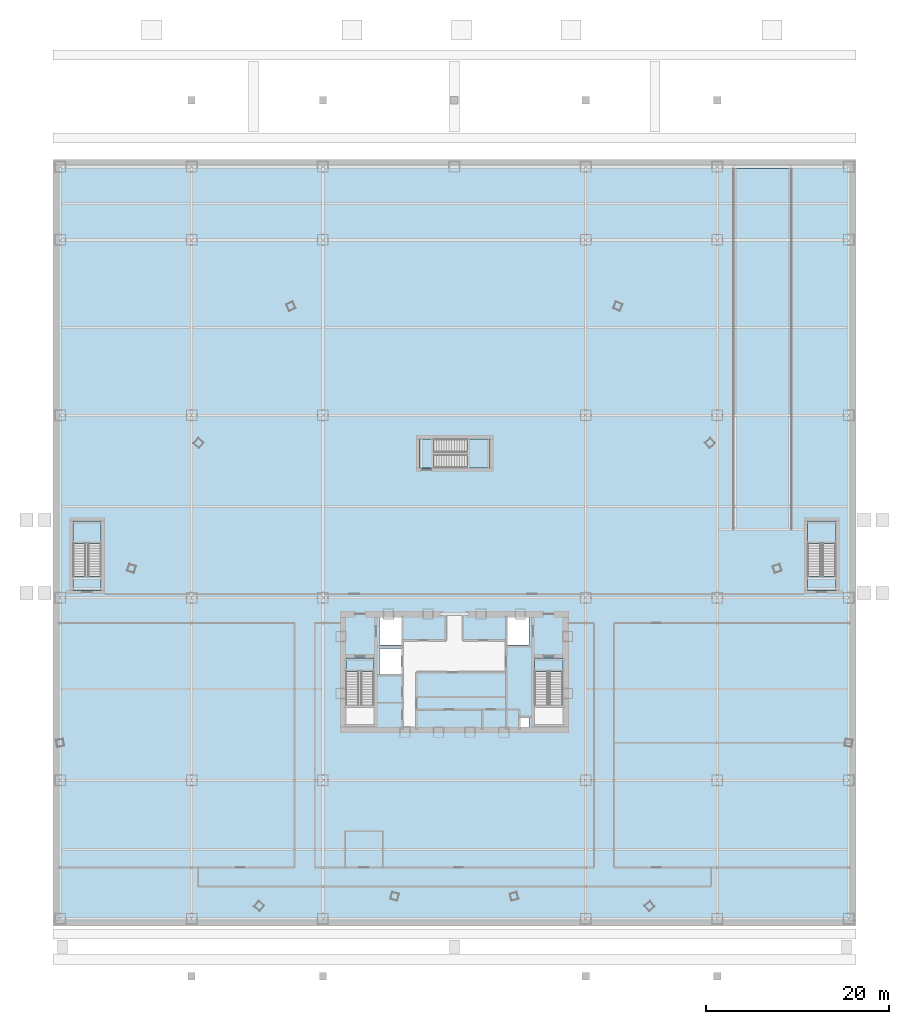
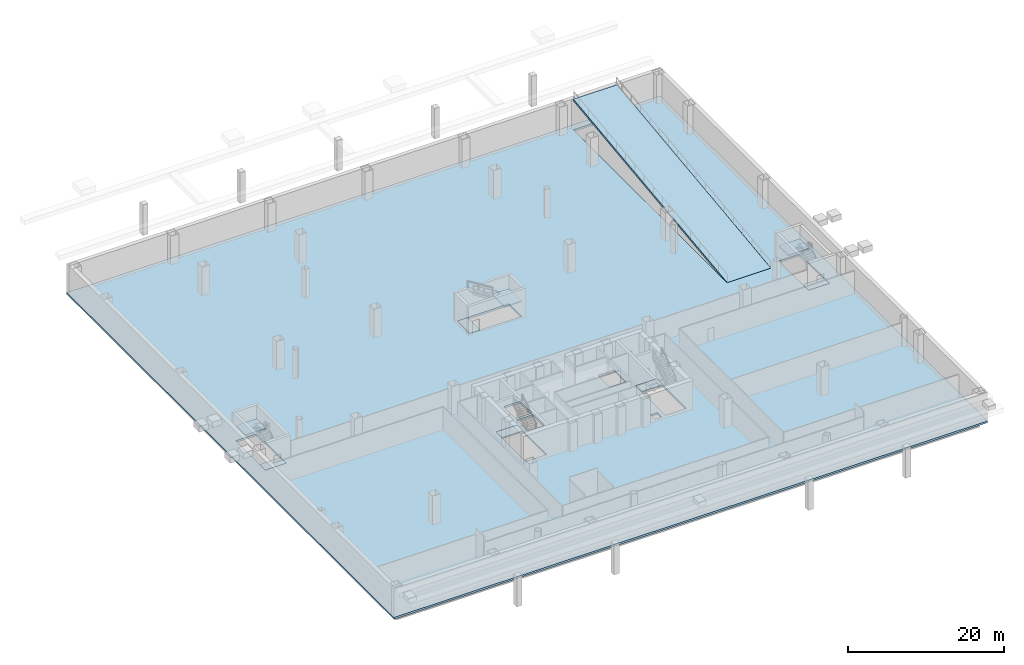
# One storey, part 5 of 16: 10 slabs, 5 elements without a shape of their own.
"""IFC4 building model written with IfcOpenShell, lengths in metres."""

from ifc_helpers import new_model, si_unit, direction, frame, origin, place, context, subcontext, project, spatial, polyline, outline, extrude, material, layer, layer_set, type_object, element, aggregate, save


model = new_model("IFC4")

# Units and contexts
model_context = context("Model", 3, precision=1e-05, world=origin(), true_north=direction((0.0, 1.0)))
body_context = subcontext(model_context, "Body", "Model", "MODEL_VIEW")
ifc_project = project(units=[si_unit("LENGTHUNIT", "METRE"), si_unit("AREAUNIT", "SQUARE_METRE"), si_unit("VOLUMEUNIT", "CUBIC_METRE"), si_unit("PLANEANGLEUNIT", "RADIAN"), si_unit("MASSUNIT", "GRAM", prefix="KILO"), si_unit("THERMODYNAMICTEMPERATUREUNIT", "KELVIN"), si_unit("POWERUNIT", "WATT")], contexts=[model_context])

# Site, building, storey
site_placement = place(None, origin())
site = spatial("IfcSite", under=ifc_project, at=site_placement, CompositionType="ELEMENT")
building_placement = place(site_placement, origin())
building = spatial("IfcBuilding", under=site, at=building_placement, Name="Yunzhuo Pagoda Commons", CompositionType="ELEMENT")
storey_placement = place(building_placement, frame((0.0, 0.0, -4.800048828125)))
storey = spatial("IfcBuildingStorey", under=building, at=storey_placement, Name="B01", CompositionType="ELEMENT", Elevation=-4.800048828125)

# Slab
ifc_material = material(Name="Concrete C40", Category="concrete")
ifc_layer_1 = layer(ifc_material, 0.300048828125)
ifc_layer_set_1 = layer_set([ifc_layer_1], Name="Concrete C40")
slab_type_1 = type_object("IfcSlabType", Name="SL-CAR Basement Car Park Slab 300", PredefinedType="FLOOR", material=ifc_layer_set_1)
slab_1_placement = place(storey_placement, frame((0.0, 0.0, -0.300048828125)))
element("IfcSlab", 1, at=slab_1_placement, inside=storey, type_object=slab_type_1, Name="B01 structural floor slab", PredefinedType="FLOOR", context=body_context, shape_type="SweptSolid", body=[
    extrude(outline(polyline([(4.0, 90.0), (92.0, 90.0), (92.0, 6.0), (4.0, 6.0), (4.0, 90.0)]), holes=[polyline([(56.179931640625, 28.800048828125), (55.179931640625, 28.800048828125), (55.179931640625, 27.699951171875), (56.179931640625, 27.699951171875), (56.179931640625, 28.800048828125)]), polyline([(39.199951171875, 27.800048828125), (39.199951171875, 35.39990234375), (36.10009765625, 35.39990234375), (36.10009765625, 27.800048828125), (39.199951171875, 27.800048828125)]), polyline([(59.89990234375, 27.800048828125), (59.89990234375, 35.39990234375), (56.800048828125, 35.39990234375), (56.800048828125, 27.800048828125), (59.89990234375, 27.800048828125)]), polyline([(42.199951171875, 33.60009765625), (42.199951171875, 36.39990234375), (39.800048828125, 36.39990234375), (39.800048828125, 33.60009765625), (42.199951171875, 33.60009765625)]), polyline([(42.199951171875, 36.800048828125), (42.199951171875, 39.800048828125), (39.800048828125, 39.800048828125), (39.800048828125, 36.800048828125), (42.199951171875, 36.800048828125)]), polyline([(56.199951171875, 39.800048828125), (53.800048828125, 39.800048828125), (53.800048828125, 36.800048828125), (56.199951171875, 36.800048828125), (56.199951171875, 39.800048828125)]), polyline([(6.199951171875, 50.39990234375), (6.199951171875, 42.800048828125), (9.300048828125, 42.800048828125), (9.300048828125, 50.39990234375), (6.199951171875, 50.39990234375)]), polyline([(86.699951171875, 50.39990234375), (86.699951171875, 42.800048828125), (89.800048828125, 42.800048828125), (89.800048828125, 50.39990234375), (86.699951171875, 50.39990234375)]), polyline([(51.89990234375, 56.199951171875), (51.89990234375, 59.39990234375), (44.199951171875, 59.39990234375), (44.199951171875, 56.199951171875), (51.89990234375, 56.199951171875)]), polyline([(84.989990234375, 49.510009765625), (84.989990234375, 89.0), (78.510009765625, 89.0), (78.510009765625, 49.510009765625), (84.989990234375, 49.510009765625)])]), origin(), (0.0, 0.0, 1.0), 0.300048828125),
])

# Stair, slab
stair_type_1 = type_object("IfcStairType", Name="ST-C1 Core Smokeproof Stair ST1", PredefinedType="HALF_TURN_STAIR", material=ifc_material)
stair_1_placement = place(storey_placement, origin())
stair_1 = element("IfcStair", 2, at=stair_1_placement, inside=storey, type_object=stair_type_1, Name="B01 Core smokeproof stair ST1", PredefinedType="HALF_TURN_STAIR")
ifc_layer_2 = layer(ifc_material, 0.199951171875)
ifc_layer_set_2 = layer_set([ifc_layer_2], Name="Concrete C40")
slab_type_2 = type_object("IfcSlabType", Name="SL-LND1 Stair Landing Slab 200", PredefinedType="LANDING", material=ifc_layer_set_2)
slab_2_placement = place(storey_placement, frame((0.0, 0.0, -0.199951171875)))
slab_2 = element("IfcSlab", 3, at=slab_2_placement, type_object=slab_type_2, Name="ST1 floor landing B01", PredefinedType="LANDING", context=body_context, shape_type="SweptSolid", body=[
    extrude(outline(polyline([(36.10009765625, 35.39990234375), (36.10009765625, 33.89990234375), (39.199951171875, 33.89990234375), (39.199951171875, 35.39990234375), (36.10009765625, 35.39990234375)])), origin(), (0.0, 0.0, 1.0), 0.199951171875),
])
aggregate(stair_1, [slab_2])

stair_type_2 = type_object("IfcStairType", Name="ST-C2 Core Smokeproof Stair ST2", PredefinedType="HALF_TURN_STAIR", material=ifc_material)
stair_2_placement = place(storey_placement, origin())
stair_2 = element("IfcStair", 4, at=stair_2_placement, inside=storey, type_object=stair_type_2, Name="B01 Core smokeproof stair ST2", PredefinedType="HALF_TURN_STAIR")
ifc_layer_3 = layer(ifc_material, 0.201904296875)
ifc_layer_set_3 = layer_set([ifc_layer_3], Name="Concrete C40")
slab_type_3 = type_object("IfcSlabType", Name="SL-LND2 Stair Landing Slab 202", PredefinedType="LANDING", material=ifc_layer_set_3)
slab_3_placement = place(storey_placement, frame((0.0, 0.0, -0.199951171875)))
slab_3 = element("IfcSlab", 5, at=slab_3_placement, type_object=slab_type_3, Name="ST2 floor landing B01", PredefinedType="LANDING", context=body_context, shape_type="SweptSolid", body=[
    extrude(outline(polyline([(56.800048828125, 35.39990234375), (56.800048828125, 33.89990234375), (59.89990234375, 33.89990234375), (59.89990234375, 35.39990234375), (56.800048828125, 35.39990234375)])), origin(), (0.0, 0.0, 1.0), 0.199951171875),
])
aggregate(stair_2, [slab_3])

# Stair, slabs
stair_type_3 = type_object("IfcStairType", Name="ST-P3 Podium Exit Stair PS3", PredefinedType="HALF_TURN_STAIR", material=ifc_material)
stair_3_placement = place(storey_placement, origin())
stair_3 = element("IfcStair", 6, at=stair_3_placement, inside=storey, type_object=stair_type_3, Name="B01 Podium exit stair PS3", PredefinedType="HALF_TURN_STAIR")
ifc_layer_4 = layer(ifc_material, 0.2060546875)
ifc_layer_set_4 = layer_set([ifc_layer_4], Name="Concrete C40")
slab_type_4 = type_object("IfcSlabType", Name="SL-LND3 Podium Landing Slab 206", PredefinedType="LANDING", material=ifc_layer_set_4)
slab_4_placement = place(storey_placement, frame((0.0, 0.0, 2.199951171875)))
slab_4 = element("IfcSlab", 7, at=slab_4_placement, type_object=slab_type_4, Name="PS3 landing 1", PredefinedType="LANDING", context=body_context, shape_type="SweptSolid", body=[
    extrude(outline(polyline([(9.300048828125, 47.93994140625), (9.300048828125, 50.39990234375), (6.199951171875, 50.39990234375), (6.199951171875, 47.93994140625), (9.300048828125, 47.93994140625)])), origin(), (0.0, 0.0, 1.0), 0.2001953125),
])
slab_5_placement = place(storey_placement, frame((0.0, 0.0, -0.199951171875)))
slab_5 = element("IfcSlab", 8, at=slab_5_placement, type_object=slab_type_4, Name="PS3 floor landing B01", PredefinedType="LANDING", context=body_context, shape_type="SweptSolid", body=[
    extrude(outline(polyline([(9.300048828125, 42.800048828125), (9.300048828125, 44.300048828125), (6.199951171875, 44.300048828125), (6.199951171875, 42.800048828125), (9.300048828125, 42.800048828125)])), origin(), (0.0, 0.0, 1.0), 0.199951171875),
])
aggregate(stair_3, [slab_4, slab_5])

stair_type_4 = type_object("IfcStairType", Name="ST-P4 Podium Exit Stair PS4", PredefinedType="HALF_TURN_STAIR", material=ifc_material)
stair_4_placement = place(storey_placement, origin())
stair_4 = element("IfcStair", 9, at=stair_4_placement, inside=storey, type_object=stair_type_4, Name="B01 Podium exit stair PS4", PredefinedType="HALF_TURN_STAIR")
ifc_layer_5 = layer(ifc_material, 0.2080078125)
ifc_layer_set_5 = layer_set([ifc_layer_5], Name="Concrete C40")
slab_type_5 = type_object("IfcSlabType", Name="SL-LND4 Podium Landing Slab 208", PredefinedType="LANDING", material=ifc_layer_set_5)
slab_6_placement = place(storey_placement, frame((0.0, 0.0, 2.199951171875)))
slab_6 = element("IfcSlab", 10, at=slab_6_placement, type_object=slab_type_5, Name="PS4 landing 1", PredefinedType="LANDING", context=body_context, shape_type="SweptSolid", body=[
    extrude(outline(polyline([(89.800048828125, 47.93994140625), (89.800048828125, 50.39990234375), (86.699951171875, 50.39990234375), (86.699951171875, 47.93994140625), (89.800048828125, 47.93994140625)])), origin(), (0.0, 0.0, 1.0), 0.2001953125),
])
slab_7_placement = place(storey_placement, frame((0.0, 0.0, -0.199951171875)))
slab_7 = element("IfcSlab", 11, at=slab_7_placement, type_object=slab_type_5, Name="PS4 floor landing B01", PredefinedType="LANDING", context=body_context, shape_type="SweptSolid", body=[
    extrude(outline(polyline([(89.800048828125, 42.800048828125), (89.800048828125, 44.300048828125), (86.699951171875, 44.300048828125), (86.699951171875, 42.800048828125), (89.800048828125, 42.800048828125)])), origin(), (0.0, 0.0, 1.0), 0.199951171875),
])
aggregate(stair_4, [slab_6, slab_7])

stair_type_5 = type_object("IfcStairType", Name="ST-C3 North Tower Smokeproof Stair ST3", PredefinedType="HALF_TURN_STAIR", material=ifc_material)
stair_5_placement = place(storey_placement, origin())
stair_5 = element("IfcStair", 12, at=stair_5_placement, inside=storey, type_object=stair_type_5, Name="B01 North tower smokeproof stair ST3", PredefinedType="HALF_TURN_STAIR")
ifc_layer_6 = layer(ifc_material, 0.2041015625)
ifc_layer_set_6 = layer_set([ifc_layer_6], Name="Concrete C40")
slab_type_6 = type_object("IfcSlabType", Name="SL-LND5 North Landing Slab 204", PredefinedType="LANDING", material=ifc_layer_set_6)
slab_8_placement = place(storey_placement, frame((0.0, 0.0, 2.199951171875)))
slab_8 = element("IfcSlab", 13, at=slab_8_placement, type_object=slab_type_6, Name="ST3 landing 1", PredefinedType="LANDING", context=body_context, shape_type="SweptSolid", body=[
    extrude(outline(polyline([(49.389892578125, 56.199951171875), (51.89990234375, 56.199951171875), (51.89990234375, 59.39990234375), (49.389892578125, 59.39990234375), (49.389892578125, 56.199951171875)])), origin(), (0.0, 0.0, 1.0), 0.2001953125),
])
slab_9_placement = place(storey_placement, frame((0.0, 0.0, -0.199951171875)))
slab_9 = element("IfcSlab", 14, at=slab_9_placement, type_object=slab_type_6, Name="ST3 floor landing B01", PredefinedType="LANDING", context=body_context, shape_type="SweptSolid", body=[
    extrude(outline(polyline([(44.199951171875, 56.199951171875), (45.75, 56.199951171875), (45.75, 59.39990234375), (44.199951171875, 59.39990234375), (44.199951171875, 56.199951171875)])), origin(), (0.0, 0.0, 1.0), 0.199951171875),
])
aggregate(stair_5, [slab_8, slab_9])

# Slab
ifc_layer_7 = layer(ifc_material, 0.300048828125)
ifc_layer_set_7 = layer_set([ifc_layer_7], Name="Concrete C40")
slab_type_7 = type_object("IfcSlabType", Name="SL-RMP1 Car Park Structural Vehicle Ramp Slab 300", PredefinedType="USERDEFINED", material=ifc_layer_set_7)
slab_10_placement = place(storey_placement, frame((78.5, 49.5, 0.0), z_axis=(0.0, -0.120632785618, 0.992697200074), x_axis=(1.0, 0.0, 0.0)))
element("IfcSlab", 15, at=slab_10_placement, inside=storey, type_object=slab_type_7, Name="Car park structural vehicle ramp slab SL-RMP1", ObjectType="RAMP", PredefinedType="USERDEFINED", context=body_context, shape_type="SweptSolid", body=[
    extrude(outline(polyline([(0.0, 0.0), (6.5, 0.0), (6.5, 39.79052734375), (0.0, 39.79052734375), (0.0, 0.0)])), origin(), (0.0, 0.0, -1.0), 0.300048828125),
])

save(model, "model.ifc")
